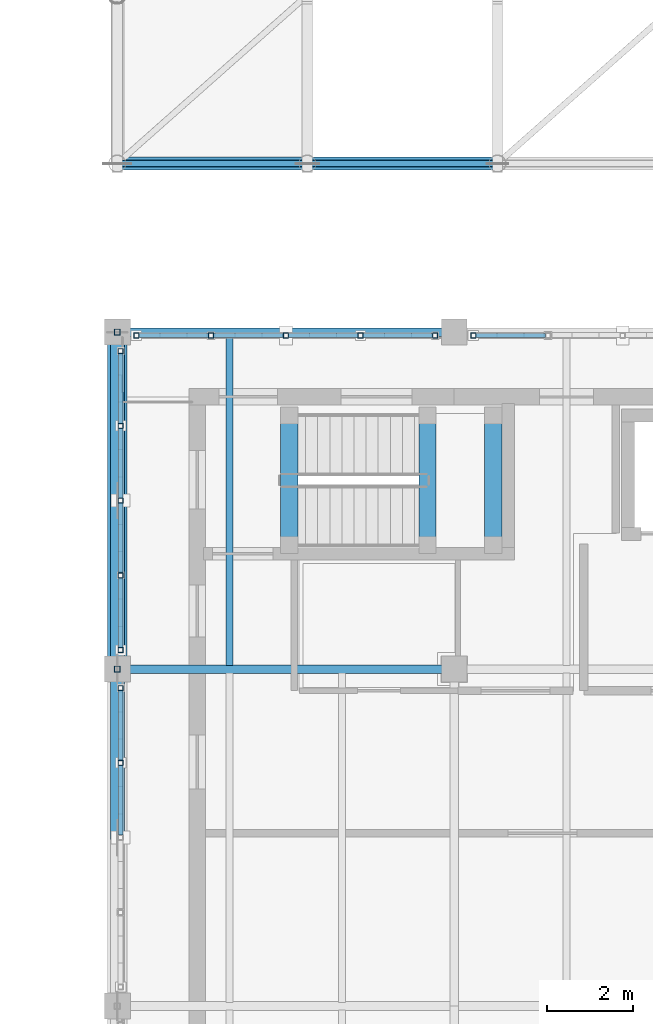
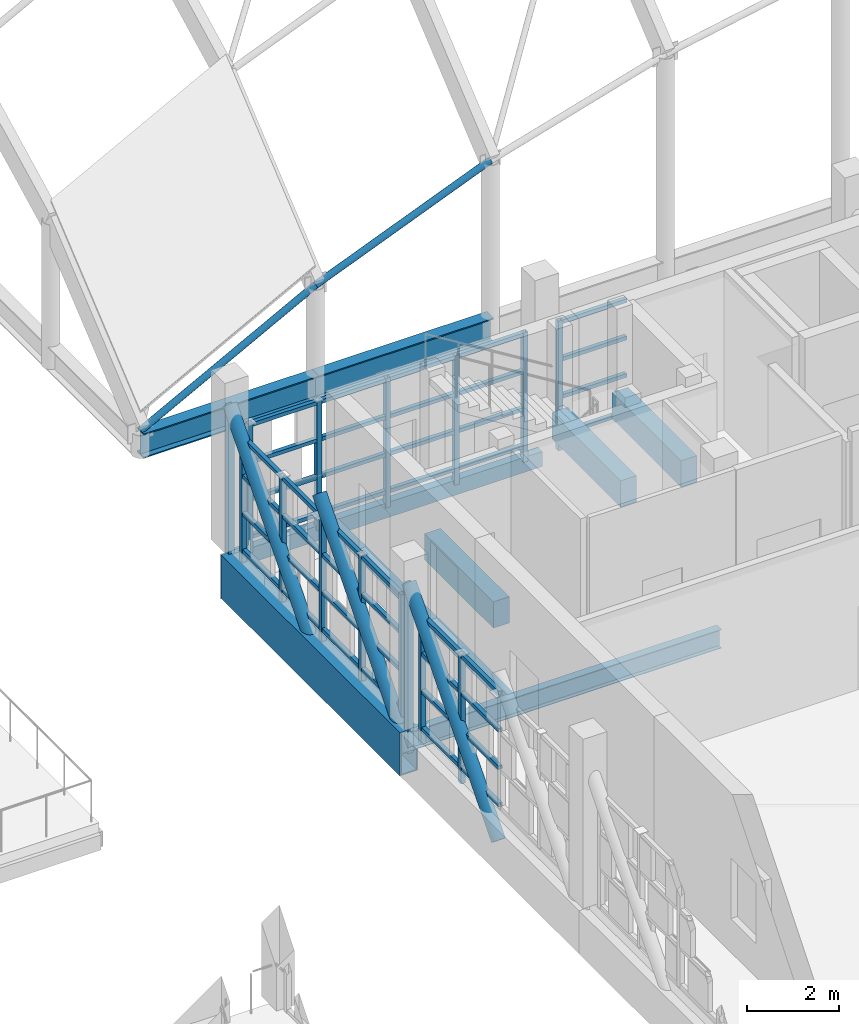
# One storey, part 32 of 119: 64 members, 9 beams.
"""IFC4 building model written with IfcOpenShell, lengths in metres."""

from ifc_helpers import new_model, si_unit, direction, frame, origin, origin_2d, place, context, subcontext, project, spatial, rectangle, hollow_rectangle, hollow_circle, i_section, extrude, material, material_profile, profile_set, type_object, element, save


model = new_model("IFC4")

# Units and contexts
model_context = context("Model", 3, precision=1e-05, world=origin(), true_north=direction((0.0, 1.0)))
body_context = subcontext(model_context, "Body", "Model", "MODEL_VIEW")
ifc_project = project(units=[si_unit("LENGTHUNIT", "METRE"), si_unit("AREAUNIT", "SQUARE_METRE"), si_unit("VOLUMEUNIT", "CUBIC_METRE"), si_unit("PLANEANGLEUNIT", "RADIAN"), si_unit("MASSUNIT", "GRAM", prefix="KILO")], contexts=[model_context])

# Site, building, storey
site_placement = place(None, origin())
site = spatial("IfcSite", under=ifc_project, at=site_placement, CompositionType="ELEMENT")
building_placement = place(site_placement, origin())
building = spatial("IfcBuilding", under=site, at=building_placement, Name="Celorna Specialist Clinic", CompositionType="ELEMENT")
storey_placement = place(building_placement, frame((0.0, 0.0, 9.60009765625)))
storey = spatial("IfcBuildingStorey", under=building, at=storey_placement, Name="L02", CompositionType="ELEMENT", Elevation=9.60009765625)

# Beams
ifc_material_1 = material(Name="Steel S355", Category="steel")
ifc_material_profile_1 = material_profile(ifc_material_1, hollow_rectangle(XDim=0.449951171875, YDim=1.14990234375, WallThickness=0.031982421875, at=origin_2d()), Name="BOX 450x1150x32")
ifc_profile_set_1 = profile_set([ifc_material_profile_1], Name="Steel S355")
beam_type_1 = type_object("IfcBeamType", Name="BM-01", PredefinedType="BEAM", material=ifc_profile_set_1)
beam_1_placement = place(storey_placement, frame((54.60009765625, 35.10009765625, -0.835205078125), z_axis=(0.0, 1.0, 0.0), x_axis=(-1.0, 0.0, 0.0)))
element("IfcBeam", 1, at=beam_1_placement, inside=storey, type_object=beam_type_1, Name="Cantilever Pratt truss chord WP-004-WP-005", PredefinedType="BEAM", context=body_context, shape_type="SweptSolid", body=[
    extrude(hollow_rectangle(XDim=0.449951171875, YDim=1.14990234375, WallThickness=0.031982421875, at=origin_2d()), origin(), (0.0, 0.0, 1.0), 7.7998046875),
])
ifc_material_profile_2 = material_profile(ifc_material_1, i_section(OverallWidth=0.300048828125, OverallDepth=0.64990234375, WebThickness=0.01611328125, FlangeThickness=0.031005859375, at=origin_2d()), Name="HE 650 B")
ifc_profile_set_2 = profile_set([ifc_material_profile_2], Name="Steel S355")
beam_type_2 = type_object("IfcBeamType", Name="BM-03", PredefinedType="BEAM", material=ifc_profile_set_2)
for number, where, z_axis, x_axis, name in (
    (2, (54.60009765625, 46.800048828125, 0.27490234375), (1.0, 0.0, 0.0), (0.0, 1.0, 0.0), "GSH-V1 gridshell perimeter edge ring beam"),
    (3, (59.0, 46.800048828125, 0.27490234375), (1.0, 0.0, 0.0), (0.0, 1.0, 0.0), "GSH-V1 gridshell perimeter edge ring beam"),
):
    element("IfcBeam", number, at=place(storey_placement, frame(where, z_axis=z_axis, x_axis=x_axis)), inside=storey, type_object=beam_type_2, Name=name, PredefinedType="BEAM", context=body_context, shape_type="SweptSolid", body=[
        extrude(i_section(OverallWidth=0.300048828125, OverallDepth=0.64990234375, WebThickness=0.01611328125, FlangeThickness=0.031005859375, at=origin_2d()), origin(), (0.0, 0.0, 1.0), 4.39990234375),
    ])
ifc_material_profile_3 = material_profile(ifc_material_1, i_section(OverallWidth=0.199951171875, OverallDepth=0.5, WebThickness=0.01025390625, FlangeThickness=0.01611328125, at=origin_2d()), Name="IPE 500")
ifc_profile_set_3 = profile_set([ifc_material_profile_3], Name="Steel S355")
beam_type_3 = type_object("IfcBeamType", Name="BM-08", PredefinedType="BEAM", material=ifc_profile_set_3)
beam_2_placement = place(storey_placement, frame((54.60009765625, 35.10009765625, -0.510009765625), z_axis=(1.0, 0.0, 0.0), x_axis=(0.0, 1.0, 0.0)))
element("IfcBeam", 4, at=beam_2_placement, inside=storey, type_object=beam_type_3, Name="Primary girder BM-08 #2117", PredefinedType="BEAM", context=body_context, shape_type="SweptSolid", body=[
    extrude(i_section(OverallWidth=0.199951171875, OverallDepth=0.5, WebThickness=0.01025390625, FlangeThickness=0.01611328125, at=origin_2d()), origin(), (0.0, 0.0, 1.0), 7.7998046875),
])
ifc_material_profile_4 = material_profile(ifc_material_1, i_section(OverallWidth=0.159912109375, OverallDepth=0.330078125, WebThickness=0.007568359375, FlangeThickness=0.011474609375, at=origin_2d()), Name="IPE 330")
ifc_profile_set_4 = profile_set([ifc_material_profile_4], Name="Steel S355")
beam_type_4 = type_object("IfcBeamType", Name="BM-12", PredefinedType="JOIST", material=ifc_profile_set_4)
beam_3_placement = place(storey_placement, frame((57.199951171875, 35.18798828125, -0.425048828125), z_axis=(0.0, 1.0, 0.0), x_axis=(-1.0, 0.0, 0.0)))
element("IfcBeam", 5, at=beam_3_placement, inside=storey, type_object=beam_type_4, Name="Secondary floor joist BM-12 #2140", PredefinedType="JOIST", context=body_context, shape_type="SweptSolid", body=[
    extrude(i_section(OverallWidth=0.159912109375, OverallDepth=0.330078125, WebThickness=0.007568359375, FlangeThickness=0.011474609375, at=origin_2d()), origin(), (0.0, 0.0, 1.0), 7.6240234375),
])
ifc_material_profile_5 = material_profile(ifc_material_1, hollow_rectangle(XDim=0.199951171875, YDim=0.39990234375, WallThickness=0.011962890625, at=origin_2d()), Name="RHS 200x400x12")
ifc_profile_set_5 = profile_set([ifc_material_profile_5], Name="Steel S355")
beam_type_5 = type_object("IfcBeamType", Name="BM-15", PredefinedType="SPANDREL", material=ifc_profile_set_5)
beam_4_placement = place(storey_placement, frame((54.60009765625, 42.89990234375, -0.460205078125), z_axis=(1.0, 0.0, 0.0), x_axis=(0.0, 1.0, 0.0)))
element("IfcBeam", 6, at=beam_4_placement, inside=storey, type_object=beam_type_5, Name="Spandrel beam BM-15 #2121", PredefinedType="SPANDREL", context=body_context, shape_type="SweptSolid", body=[
    extrude(hollow_rectangle(XDim=0.199951171875, YDim=0.39990234375, WallThickness=0.011962890625, at=origin_2d()), origin(), (0.0, 0.0, 1.0), 7.7998046875),
])
ifc_material_2 = material(Name="Concrete C35/45", Category="concrete")
ifc_material_profile_6 = material_profile(ifc_material_2, rectangle(XDim=0.39990234375, YDim=0.699951171875, at=origin_2d()), Name="RC 400x700")
ifc_profile_set_6 = profile_set([ifc_material_profile_6], Name="Concrete C35/45")
beam_type_6 = type_object("IfcBeamType", Name="BM-19", PredefinedType="BEAM", material=ifc_profile_set_6)
for number, where, z_axis, x_axis, name in (
    (7, (58.580078125, 37.969970703125, -0.275146484375), (0.0, 1.0, 0.0), (-1.0, 0.0, 0.0), "Stair ST-08 floor landing trimmer beam L02"),
    (8, (61.780029296875, 37.969970703125, 1.824951171875), (0.0, 1.0, 0.0), (-1.0, 0.0, 0.0), "Stair ST-08 half-landing beam L02"),
    (9, (63.300048828125, 37.969970703125, 1.824951171875), (0.0, 1.0, 0.0), (-1.0, 0.0, 0.0), "Stair ST-08 half-landing beam L02"),
):
    element("IfcBeam", number, at=place(storey_placement, frame(where, z_axis=z_axis, x_axis=x_axis)), inside=storey, type_object=beam_type_6, Name=name, PredefinedType="BEAM", context=body_context, shape_type="SweptSolid", body=[
        extrude(rectangle(XDim=0.39990234375, YDim=0.699951171875, at=origin_2d()), origin(), (0.0, 0.0, 1.0), 3.0),
    ])

# Members
ifc_material_profile_7 = material_profile(ifc_material_1, hollow_circle(Radius=0.084228515625, WallThickness=0.010009765625, at=origin_2d()), Name="CHS 168.3x10")
ifc_profile_set_7 = profile_set([ifc_material_profile_7], Name="Steel S355")
member_type_1 = type_object("IfcMemberType", Name="MB-03", PredefinedType="PURLIN", material=ifc_profile_set_7)
member_1_placement = place(storey_placement, frame((54.60009765625, 46.800048828125, 0.599853515625), z_axis=(0.883768830423, 0.0, 0.467923769831), x_axis=(0.0, 1.0, 0.0)))
element("IfcMember", 10, at=member_1_placement, inside=storey, type_object=member_type_1, Name="GSH-V1 gridshell edge arch chord WP-125-WP-126", PredefinedType="PURLIN", context=body_context, shape_type="SweptSolid", body=[
    extrude(hollow_circle(Radius=0.084228515625, WallThickness=0.010009765625, at=origin_2d()), origin(), (0.0, 0.0, 1.0), 4.978515625),
])
member_2_placement = place(storey_placement, frame((59.0, 46.800048828125, 2.929443359375), z_axis=(0.927315344547, 0.0, 0.374280979704), x_axis=(0.0, 1.0, 0.0)))
element("IfcMember", 11, at=member_2_placement, inside=storey, type_object=member_type_1, Name="GSH-V1 gridshell edge arch chord WP-126-WP-127", PredefinedType="PURLIN", context=body_context, shape_type="SweptSolid", body=[
    extrude(hollow_circle(Radius=0.084228515625, WallThickness=0.010009765625, at=origin_2d()), origin(), (0.0, 0.0, 1.0), 4.744873046875),
])
ifc_material_profile_8 = material_profile(ifc_material_1, hollow_circle(Radius=0.161865234375, WallThickness=0.01611328125, at=origin_2d()), Name="CHS 323.9x16")
ifc_profile_set_8 = profile_set([ifc_material_profile_8], Name="Steel S355")
member_type_2 = type_object("IfcMemberType", Name="MB-05", PredefinedType="BRACE", material=ifc_profile_set_8)
for number, where, z_axis, x_axis, name in (
    (12, (54.60009765625, 31.199951171875, -0.835205078125), (0.0, 0.654944585876, 0.755676908098), (-1.0, 0.0, 0.0), "Cantilever Pratt truss web diagonal WP-025-WP-009"),
    (13, (54.60009765625, 35.10009765625, -0.835205078125), (0.0, 0.654921173069, 0.755697199324), (-1.0, 0.0, 0.0), "Cantilever Pratt truss web diagonal WP-004-WP-026"),
    (14, (54.60009765625, 39.0, -0.835205078125), (0.0, 0.654921173069, 0.755697199324), (-1.0, 0.0, 0.0), "Cantilever Pratt truss web diagonal WP-027-WP-010"),
):
    element("IfcMember", number, at=place(storey_placement, frame(where, z_axis=z_axis, x_axis=x_axis)), inside=storey, type_object=member_type_2, Name=name, PredefinedType="BRACE", context=body_context, shape_type="SweptSolid", body=[
        extrude(hollow_circle(Radius=0.161865234375, WallThickness=0.01611328125, at=origin_2d()), origin(), (0.0, 0.0, 1.0), 5.954833984375),
    ])
ifc_material_profile_9 = material_profile(ifc_material_1, hollow_rectangle(XDim=0.139892578125, YDim=0.139892578125, WallThickness=0.008056640625, at=origin_2d()), Name="SHS 140x140x8")
ifc_profile_set_9 = profile_set([ifc_material_profile_9], Name="Steel S355")
member_type_3 = type_object("IfcMemberType", Name="MB-10", PredefinedType="CHORD", material=ifc_profile_set_9)
for number, where, z_axis, x_axis, name in (
    (15, (54.60009765625, 35.10009765625, -0.835205078125), (0.0, 0.0, 1.0), (1.0, 0.0, 0.0), "Cantilever Pratt truss vertical post WP-004-WP-009"),
    (16, (54.60009765625, 42.89990234375, -0.835205078125), (0.0, 0.0, 1.0), (1.0, 0.0, 0.0), "Cantilever Pratt truss vertical post WP-005-WP-010"),
):
    element("IfcMember", number, at=place(storey_placement, frame(where, z_axis=z_axis, x_axis=x_axis)), inside=storey, type_object=member_type_3, Name=name, PredefinedType="CHORD", context=body_context, shape_type="SweptSolid", body=[
        extrude(hollow_rectangle(XDim=0.139892578125, YDim=0.139892578125, WallThickness=0.008056640625, at=origin_2d()), origin(), (0.0, 0.0, 1.0), 4.5),
    ])
ifc_material_profile_10 = material_profile(ifc_material_1, hollow_rectangle(XDim=0.1201171875, YDim=0.1201171875, WallThickness=0.008056640625, at=origin_2d()), Name="SHS 120x120x8")
ifc_profile_set_10 = profile_set([ifc_material_profile_10], Name="Steel S355")
member_type_4 = type_object("IfcMemberType", Name="MB-11", PredefinedType="STUD", material=ifc_profile_set_10)
for number, where, z_axis, x_axis, name in (
    (17, (54.679931640625, 32.929931640625, -0.360107421875), (0.0, 0.0, 1.0), (1.0, 0.0, 0.0), "Perforated screen steel post #218"),
    (18, (54.679931640625, 34.659912109375, -0.360107421875), (0.0, 0.0, 1.0), (1.0, 0.0, 0.0), "Perforated screen steel post #219"),
    (19, (54.679931640625, 35.5400390625, -0.360107421875), (0.0, 0.0, 1.0), (1.0, 0.0, 0.0), "Perforated screen steel post #236"),
    (20, (54.679931640625, 37.27001953125, -0.360107421875), (0.0, 0.0, 1.0), (1.0, 0.0, 0.0), "Perforated screen steel post #237"),
    (21, (54.679931640625, 39.0, -0.360107421875), (0.0, 0.0, 1.0), (1.0, 0.0, 0.0), "Perforated screen steel post #238"),
    (22, (54.679931640625, 40.72998046875, -0.360107421875), (0.0, 0.0, 1.0), (1.0, 0.0, 0.0), "Perforated screen steel post #239"),
    (23, (54.679931640625, 42.4599609375, -0.360107421875), (0.0, 0.0, 1.0), (1.0, 0.0, 0.0), "Perforated screen steel post #240"),
    (24, (55.0400390625, 42.820068359375, -0.360107421875), (0.0, 0.0, 1.0), (1.0, 0.0, 0.0), "Perforated screen steel post #539"),
    (25, (56.77001953125, 42.820068359375, -0.360107421875), (0.0, 0.0, 1.0), (1.0, 0.0, 0.0), "Perforated screen steel post #540"),
    (26, (58.5, 42.820068359375, -0.360107421875), (0.0, 0.0, 1.0), (1.0, 0.0, 0.0), "Perforated screen steel post #541"),
    (27, (60.22998046875, 42.820068359375, -0.360107421875), (0.0, 0.0, 1.0), (1.0, 0.0, 0.0), "Perforated screen steel post #542"),
    (28, (61.9599609375, 42.820068359375, -0.360107421875), (0.0, 0.0, 1.0), (1.0, 0.0, 0.0), "Perforated screen steel post #543"),
    (29, (62.840087890625, 42.820068359375, -0.360107421875), (0.0, 0.0, 1.0), (1.0, 0.0, 0.0), "Perforated screen steel post #560"),
):
    element("IfcMember", number, at=place(storey_placement, frame(where, z_axis=z_axis, x_axis=x_axis)), inside=storey, type_object=member_type_4, Name=name, PredefinedType="STUD", context=body_context, shape_type="SweptSolid", body=[
        extrude(hollow_rectangle(XDim=0.1201171875, YDim=0.1201171875, WallThickness=0.008056640625, at=origin_2d()), origin(), (0.0, 0.0, 1.0), 3.43994140625),
    ])
ifc_material_profile_11 = material_profile(ifc_material_1, hollow_rectangle(XDim=0.10009765625, YDim=0.10009765625, WallThickness=0.006103515625, at=origin_2d()), Name="SHS 100x100x6")
ifc_profile_set_11 = profile_set([ifc_material_profile_11], Name="Steel S355")
member_type_5 = type_object("IfcMemberType", Name="MB-12", PredefinedType="STUD", material=ifc_profile_set_11)
for number, where, z_axis, x_axis, name in (
    (30, (54.679931640625, 31.260009765625, 0.0498046875), (0.0, 1.0, 0.0), (-1.0, 0.0, 0.0), "Perforated screen rail #228"),
    (31, (54.679931640625, 31.260009765625, 1.043212890625), (0.0, 1.0, 0.0), (-1.0, 0.0, 0.0), "Perforated screen rail #229"),
    (32, (54.679931640625, 31.260009765625, 2.03662109375), (0.0, 1.0, 0.0), (-1.0, 0.0, 0.0), "Perforated screen rail #230"),
    (33, (54.679931640625, 31.260009765625, 3.02978515625), (0.0, 1.0, 0.0), (-1.0, 0.0, 0.0), "Perforated screen rail #231"),
    (34, (54.679931640625, 32.989990234375, 0.0498046875), (0.0, 1.0, 0.0), (-1.0, 0.0, 0.0), "Perforated screen rail #232"),
    (35, (54.679931640625, 32.989990234375, 1.043212890625), (0.0, 1.0, 0.0), (-1.0, 0.0, 0.0), "Perforated screen rail #233"),
    (36, (54.679931640625, 32.989990234375, 2.03662109375), (0.0, 1.0, 0.0), (-1.0, 0.0, 0.0), "Perforated screen rail #234"),
    (37, (54.679931640625, 32.989990234375, 3.02978515625), (0.0, 1.0, 0.0), (-1.0, 0.0, 0.0), "Perforated screen rail #235"),
):
    element("IfcMember", number, at=place(storey_placement, frame(where, z_axis=z_axis, x_axis=x_axis)), inside=storey, type_object=member_type_5, Name=name, PredefinedType="STUD", context=body_context, shape_type="SweptSolid", body=[
        extrude(hollow_rectangle(XDim=0.10009765625, YDim=0.10009765625, WallThickness=0.006103515625, at=origin_2d()), origin(), (0.0, 0.0, 1.0), 1.610107421875),
    ])
for number, where, z_axis, x_axis, name in (
    (38, (54.679931640625, 35.60009765625, 0.0498046875), (0.0, 1.0, 0.0), (-1.0, 0.0, 0.0), "Perforated screen rail #241"),
    (39, (54.679931640625, 35.60009765625, 1.043212890625), (0.0, 1.0, 0.0), (-1.0, 0.0, 0.0), "Perforated screen rail #242"),
    (40, (54.679931640625, 35.60009765625, 2.03662109375), (0.0, 1.0, 0.0), (-1.0, 0.0, 0.0), "Perforated screen rail #243"),
    (41, (54.679931640625, 35.60009765625, 3.02978515625), (0.0, 1.0, 0.0), (-1.0, 0.0, 0.0), "Perforated screen rail #244"),
    (42, (54.679931640625, 37.330078125, 0.0498046875), (0.0, 1.0, 0.0), (-1.0, 0.0, 0.0), "Perforated screen rail #245"),
    (43, (54.679931640625, 37.330078125, 1.043212890625), (0.0, 1.0, 0.0), (-1.0, 0.0, 0.0), "Perforated screen rail #246"),
    (44, (54.679931640625, 37.330078125, 2.03662109375), (0.0, 1.0, 0.0), (-1.0, 0.0, 0.0), "Perforated screen rail #247"),
    (45, (54.679931640625, 37.330078125, 3.02978515625), (0.0, 1.0, 0.0), (-1.0, 0.0, 0.0), "Perforated screen rail #248"),
    (46, (54.679931640625, 39.06005859375, 0.0498046875), (0.0, 1.0, 0.0), (-1.0, 0.0, 0.0), "Perforated screen rail #249"),
    (47, (54.679931640625, 39.06005859375, 1.043212890625), (0.0, 1.0, 0.0), (-1.0, 0.0, 0.0), "Perforated screen rail #250"),
    (48, (54.679931640625, 39.06005859375, 2.03662109375), (0.0, 1.0, 0.0), (-1.0, 0.0, 0.0), "Perforated screen rail #251"),
    (49, (54.679931640625, 39.06005859375, 3.02978515625), (0.0, 1.0, 0.0), (-1.0, 0.0, 0.0), "Perforated screen rail #252"),
    (50, (54.679931640625, 40.7900390625, 0.0498046875), (0.0, 1.0, 0.0), (-1.0, 0.0, 0.0), "Perforated screen rail #253"),
    (51, (54.679931640625, 40.7900390625, 1.043212890625), (0.0, 1.0, 0.0), (-1.0, 0.0, 0.0), "Perforated screen rail #254"),
    (52, (54.679931640625, 40.7900390625, 2.03662109375), (0.0, 1.0, 0.0), (-1.0, 0.0, 0.0), "Perforated screen rail #255"),
    (53, (54.679931640625, 40.7900390625, 3.02978515625), (0.0, 1.0, 0.0), (-1.0, 0.0, 0.0), "Perforated screen rail #256"),
    (54, (55.10009765625, 42.820068359375, 0.0498046875), (1.0, 0.0, 0.0), (0.0, 1.0, 0.0), "Perforated screen rail #544"),
    (55, (55.10009765625, 42.820068359375, 1.043212890625), (1.0, 0.0, 0.0), (0.0, 1.0, 0.0), "Perforated screen rail #545"),
    (56, (55.10009765625, 42.820068359375, 2.03662109375), (1.0, 0.0, 0.0), (0.0, 1.0, 0.0), "Perforated screen rail #546"),
    (57, (55.10009765625, 42.820068359375, 3.02978515625), (1.0, 0.0, 0.0), (0.0, 1.0, 0.0), "Perforated screen rail #547"),
    (58, (56.830078125, 42.820068359375, 0.0498046875), (1.0, 0.0, 0.0), (0.0, 1.0, 0.0), "Perforated screen rail #548"),
    (59, (56.830078125, 42.820068359375, 1.043212890625), (1.0, 0.0, 0.0), (0.0, 1.0, 0.0), "Perforated screen rail #549"),
    (60, (56.830078125, 42.820068359375, 2.03662109375), (1.0, 0.0, 0.0), (0.0, 1.0, 0.0), "Perforated screen rail #550"),
    (61, (56.830078125, 42.820068359375, 3.02978515625), (1.0, 0.0, 0.0), (0.0, 1.0, 0.0), "Perforated screen rail #551"),
    (62, (58.56005859375, 42.820068359375, 0.0498046875), (1.0, 0.0, 0.0), (0.0, 1.0, 0.0), "Perforated screen rail #552"),
    (63, (58.56005859375, 42.820068359375, 1.043212890625), (1.0, 0.0, 0.0), (0.0, 1.0, 0.0), "Perforated screen rail #553"),
    (64, (58.56005859375, 42.820068359375, 2.03662109375), (1.0, 0.0, 0.0), (0.0, 1.0, 0.0), "Perforated screen rail #554"),
    (65, (58.56005859375, 42.820068359375, 3.02978515625), (1.0, 0.0, 0.0), (0.0, 1.0, 0.0), "Perforated screen rail #555"),
    (66, (60.2900390625, 42.820068359375, 0.0498046875), (1.0, 0.0, 0.0), (0.0, 1.0, 0.0), "Perforated screen rail #556"),
    (67, (60.2900390625, 42.820068359375, 1.043212890625), (1.0, 0.0, 0.0), (0.0, 1.0, 0.0), "Perforated screen rail #557"),
    (68, (60.2900390625, 42.820068359375, 2.03662109375), (1.0, 0.0, 0.0), (0.0, 1.0, 0.0), "Perforated screen rail #558"),
    (69, (60.2900390625, 42.820068359375, 3.02978515625), (1.0, 0.0, 0.0), (0.0, 1.0, 0.0), "Perforated screen rail #559"),
):
    element("IfcMember", number, at=place(storey_placement, frame(where, z_axis=z_axis, x_axis=x_axis)), inside=storey, type_object=member_type_5, Name=name, PredefinedType="STUD", context=body_context, shape_type="SweptSolid", body=[
        extrude(hollow_rectangle(XDim=0.10009765625, YDim=0.10009765625, WallThickness=0.006103515625, at=origin_2d()), origin(), (0.0, 0.0, 1.0), 1.60986328125),
    ])
for number, where, z_axis, x_axis, name in (
    (70, (62.89990234375, 42.820068359375, 0.0498046875), (1.0, 0.0, 0.0), (0.0, 1.0, 0.0), "Perforated screen rail #565"),
    (71, (62.89990234375, 42.820068359375, 1.043212890625), (1.0, 0.0, 0.0), (0.0, 1.0, 0.0), "Perforated screen rail #566"),
    (72, (62.89990234375, 42.820068359375, 2.03662109375), (1.0, 0.0, 0.0), (0.0, 1.0, 0.0), "Perforated screen rail #567"),
    (73, (62.89990234375, 42.820068359375, 3.02978515625), (1.0, 0.0, 0.0), (0.0, 1.0, 0.0), "Perforated screen rail #568"),
):
    element("IfcMember", number, at=place(storey_placement, frame(where, z_axis=z_axis, x_axis=x_axis)), inside=storey, type_object=member_type_5, Name=name, PredefinedType="STUD", context=body_context, shape_type="SweptSolid", body=[
        extrude(hollow_rectangle(XDim=0.10009765625, YDim=0.10009765625, WallThickness=0.006103515625, at=origin_2d()), origin(), (0.0, 0.0, 1.0), 1.610107421875),
    ])

save(model, "model.ifc")
